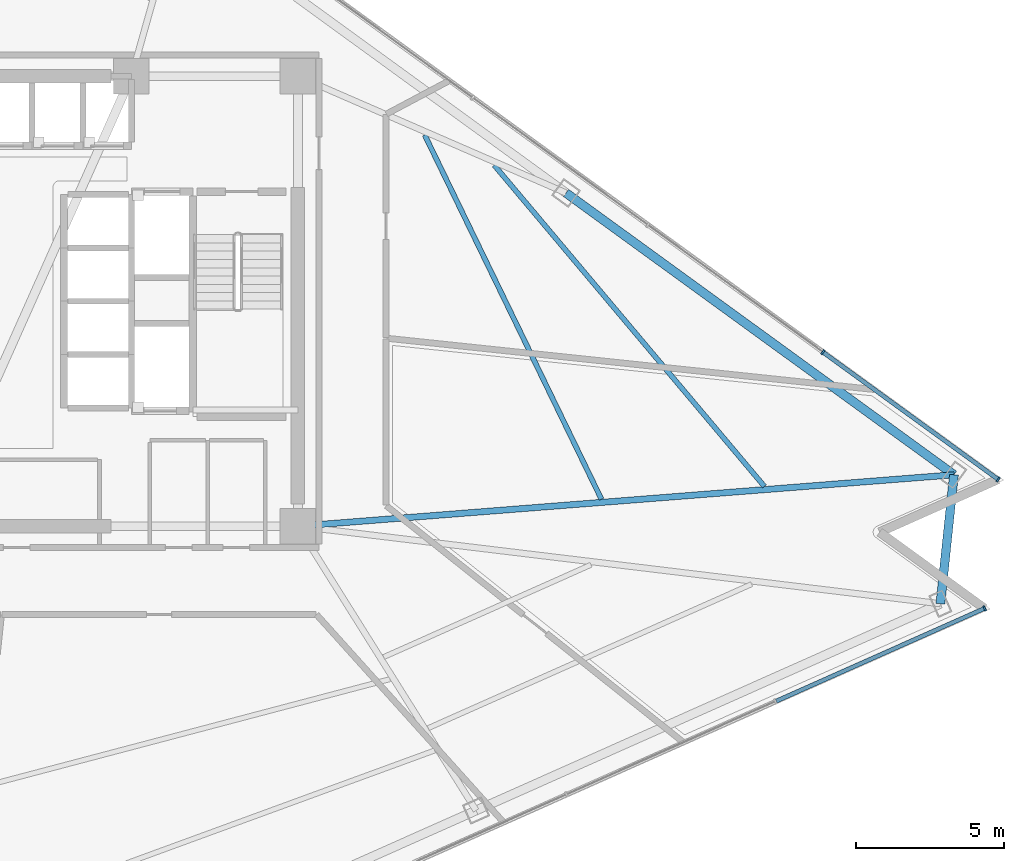
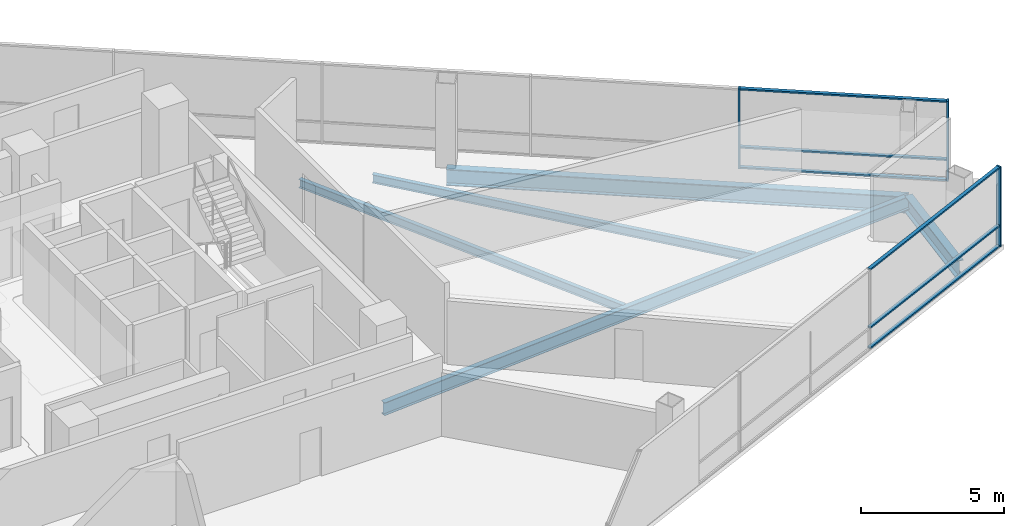
# One storey, part 6 of 19: 9 members, 5 beams, 2 elements without a shape of their own.
"""IFC4 building model written with IfcOpenShell, lengths in metres."""

from ifc_helpers import new_model, si_unit, direction, frame, origin, origin_2d, place, context, subcontext, project, spatial, rectangle, i_section, extrude, material, layer, layer_set, material_profile, profile_set, type_object, element, aggregate, save


model = new_model("IFC4")

# Units and contexts
model_context = context("Model", 3, precision=1e-05, world=origin(), true_north=direction((0.0, 1.0)))
body_context = subcontext(model_context, "Body", "Model", "MODEL_VIEW")
ifc_project = project(units=[si_unit("LENGTHUNIT", "METRE"), si_unit("AREAUNIT", "SQUARE_METRE"), si_unit("VOLUMEUNIT", "CUBIC_METRE"), si_unit("PLANEANGLEUNIT", "RADIAN"), si_unit("MASSUNIT", "GRAM", prefix="KILO")], contexts=[model_context])

# Site, building, storey
site_placement = place(None, origin())
site = spatial("IfcSite", under=ifc_project, at=site_placement, CompositionType="ELEMENT")
building_placement = place(site_placement, origin())
building = spatial("IfcBuilding", under=site, at=building_placement, Name="Tharavind Bronze Gate", CompositionType="ELEMENT")
storey_placement = place(building_placement, frame((0.0, 0.0, 116.050048828125)))
storey = spatial("IfcBuildingStorey", under=building, at=storey_placement, Name="L29", CompositionType="ELEMENT", Elevation=116.050048828125)

# Curtain wall, member
ifc_material_1 = material(Name="Anodised Bronze Aluminium", Category="aluminium")
ifc_layer = layer(ifc_material_1, 0.219970703125)
ifc_layer_set = layer_set([ifc_layer], Name="Anodised Bronze Aluminium")
curtain_wall_type = type_object("IfcCurtainWallType", Name="UNITISED CURTAIN WALL LOWER OFFICE", PredefinedType="USERDEFINED", material=ifc_layer_set)
curtain_wall_1_placement = place(storey_placement, origin())
curtain_wall_1 = element("IfcCurtainWall", 1, at=curtain_wall_1_placement, inside=storey, type_object=curtain_wall_type, Name="L29 unitised curtain wall lower office CW-L29-S2", ObjectType="UNITISED CURTAIN WALL", PredefinedType="USERDEFINED")
member_type_1 = type_object("IfcMemberType", Name="CURTAIN WALL BRONZE MULLION 65X180", PredefinedType="MULLION", material=ifc_material_1)
member_1_placement = place(storey_placement, frame((32.099853515625, -10.3759765625, 0.0), z_axis=(0.0, 0.0, 1.0), x_axis=(0.913545457643, 0.406736643076, 0.0)))
member_1 = element("IfcMember", 2, at=member_1_placement, type_object=member_type_1, Name="CW-L29-S2 mullion 8", PredefinedType="MULLION", context=body_context, shape_type="SweptSolid", body=[
    extrude(rectangle(XDim=0.06494140625, YDim=0.179931640625, at=origin_2d()), origin(), (0.0, 0.0, 1.0), 3.409912109375),
])

# Curtain wall, members
curtain_wall_2_placement = place(storey_placement, origin())
curtain_wall_2 = element("IfcCurtainWall", 3, at=curtain_wall_2_placement, inside=storey, type_object=curtain_wall_type, Name="L29 unitised curtain wall lower office CW-L29-S3", ObjectType="UNITISED CURTAIN WALL", PredefinedType="USERDEFINED")
member_2_placement = place(storey_placement, frame((32.5576171875, -6.02001953125, 0.0), z_axis=(0.0, 0.0, 1.0), x_axis=(-0.809016994375, 0.587785252292, 0.0)))
member_2 = element("IfcMember", 4, at=member_2_placement, type_object=member_type_1, Name="CW-L29-S3 mullion 1", PredefinedType="MULLION", context=body_context, shape_type="SweptSolid", body=[
    extrude(rectangle(XDim=0.06494140625, YDim=0.179931640625, at=origin_2d()), origin(), (0.0, 0.0, 1.0), 3.409912109375),
])
member_3_placement = place(storey_placement, frame((26.64111328125, -1.72119140625, 0.0), z_axis=(0.0, 0.0, 1.0), x_axis=(-0.809016994375, 0.587785252292, 0.0)))
member_3 = element("IfcMember", 5, at=member_3_placement, type_object=member_type_1, Name="CW-L29-S3 mullion 2", PredefinedType="MULLION", context=body_context, shape_type="SweptSolid", body=[
    extrude(rectangle(XDim=0.06494140625, YDim=0.179931640625, at=origin_2d()), origin(), (0.0, 0.0, 1.0), 3.409912109375),
])

# Member
member_type_2 = type_object("IfcMemberType", Name="CURTAIN WALL BRONZE TRANSOM 65X140", PredefinedType="USERDEFINED", material=ifc_material_1)
member_4_placement = place(storey_placement, frame((28.568603515625, -11.947998046875, 0.0), z_axis=(0.0, 0.0, 1.0), x_axis=(0.913545457643, 0.406736643076, 0.0)))
member_4 = element("IfcMember", 6, at=member_4_placement, type_object=member_type_2, Name="CW-L29-S2 transom TB7", ObjectType="TRANSOM", PredefinedType="USERDEFINED", context=body_context, shape_type="SweptSolid", body=[
    extrude(rectangle(XDim=7.677490234375, YDim=0.139892578125, at=origin_2d()), origin(), (0.0, 0.0, 1.0), 0.06494140625),
])

member_5_placement = place(storey_placement, frame((28.568603515625, -11.947998046875, 0.867431640625), z_axis=(0.0, 0.0, 1.0), x_axis=(0.913545457643, 0.406736643076, 0.0)))
member_5 = element("IfcMember", 7, at=member_5_placement, type_object=member_type_2, Name="CW-L29-S2 transom TS7", ObjectType="TRANSOM", PredefinedType="USERDEFINED", context=body_context, shape_type="SweptSolid", body=[
    extrude(rectangle(XDim=7.677490234375, YDim=0.139892578125, at=origin_2d()), origin(), (0.0, 0.0, 1.0), 0.06494140625),
])

member_6_placement = place(storey_placement, frame((28.568603515625, -11.947998046875, 3.344970703125), z_axis=(0.0, 0.0, 1.0), x_axis=(0.913545457643, 0.406736643076, 0.0)))
member_6 = element("IfcMember", 8, at=member_6_placement, type_object=member_type_2, Name="CW-L29-S2 transom TT7", ObjectType="TRANSOM", PredefinedType="USERDEFINED", context=body_context, shape_type="SweptSolid", body=[
    extrude(rectangle(XDim=7.677490234375, YDim=0.139892578125, at=origin_2d()), origin(), (0.0, 0.0, 1.0), 0.06494140625),
])

aggregate(curtain_wall_1, [member_1, member_4, member_5, member_6])

member_7_placement = place(storey_placement, frame((29.599365234375, -3.87060546875, 0.0), z_axis=(0.0, 0.0, 1.0), x_axis=(-0.809016994375, 0.587785252292, 0.0)))
member_7 = element("IfcMember", 9, at=member_7_placement, type_object=member_type_2, Name="CW-L29-S3 transom TB1", ObjectType="TRANSOM", PredefinedType="USERDEFINED", context=body_context, shape_type="SweptSolid", body=[
    extrude(rectangle(XDim=7.260498046875, YDim=0.139892578125, at=origin_2d()), origin(), (0.0, 0.0, 1.0), 0.06494140625),
])

member_8_placement = place(storey_placement, frame((29.599365234375, -3.87060546875, 0.867431640625), z_axis=(0.0, 0.0, 1.0), x_axis=(-0.809016994375, 0.587785252292, 0.0)))
member_8 = element("IfcMember", 10, at=member_8_placement, type_object=member_type_2, Name="CW-L29-S3 transom TS1", ObjectType="TRANSOM", PredefinedType="USERDEFINED", context=body_context, shape_type="SweptSolid", body=[
    extrude(rectangle(XDim=7.260498046875, YDim=0.139892578125, at=origin_2d()), origin(), (0.0, 0.0, 1.0), 0.06494140625),
])

member_9_placement = place(storey_placement, frame((29.599365234375, -3.87060546875, 3.344970703125), z_axis=(0.0, 0.0, 1.0), x_axis=(-0.809016994375, 0.587785252292, 0.0)))
member_9 = element("IfcMember", 11, at=member_9_placement, type_object=member_type_2, Name="CW-L29-S3 transom TT1", ObjectType="TRANSOM", PredefinedType="USERDEFINED", context=body_context, shape_type="SweptSolid", body=[
    extrude(rectangle(XDim=7.260498046875, YDim=0.139892578125, at=origin_2d()), origin(), (0.0, 0.0, 1.0), 0.06494140625),
])

aggregate(curtain_wall_2, [member_2, member_3, member_7, member_8, member_9])

# Beams
ifc_material_2 = material(Name="Steel S355", Category="steel")
ifc_material_profile_1 = material_profile(ifc_material_2, i_section(OverallWidth=0.2099609375, OverallDepth=0.550048828125, WebThickness=0.010986328125, FlangeThickness=0.01708984375, at=origin_2d()), Name="IPE550")
ifc_profile_set_1 = profile_set([ifc_material_profile_1], Name="Steel S355")
beam_type_1 = type_object("IfcBeamType", Name="PRIMARY GIRDER IPE550", PredefinedType="USERDEFINED", material=ifc_profile_set_1)
beam_1_placement = place(storey_placement, frame((31.06591796875, -5.863037109375, -0.465087890625), z_axis=(-0.996943461066, -0.078126406792, 0.0), x_axis=(0.078126406792, -0.996943461066, 0.0)))
element("IfcBeam", 12, at=beam_1_placement, inside=storey, type_object=beam_type_1, Name="L29 primary girder ipe550 BM-L29-RAD09", ObjectType="GIRDER", PredefinedType="USERDEFINED", context=body_context, shape_type="SweptSolid", body=[
    extrude(i_section(OverallWidth=0.2099609375, OverallDepth=0.550048828125, WebThickness=0.010986328125, FlangeThickness=0.01708984375, at=origin_2d()), origin(), (0.0, 0.0, 1.0), 22.23388671875),
])
ifc_material_profile_2 = material_profile(ifc_material_2, i_section(OverallWidth=0.300048828125, OverallDepth=0.699951171875, WebThickness=0.01708984375, FlangeThickness=0.031982421875, at=origin_2d()), Name="HE700B")
ifc_profile_set_2 = profile_set([ifc_material_profile_2], Name="Steel S355")
beam_type_2 = type_object("IfcBeamType", Name="RING GIRDER HE700B", PredefinedType="USERDEFINED", material=ifc_profile_set_2)
beam_2_placement = place(storey_placement, frame((30.60791015625, -10.218994140625, -0.5400390625), z_axis=(0.1045687219, 0.994517663192, 0.0), x_axis=(-0.994517663192, 0.1045687219, 0.0)))
element("IfcBeam", 13, at=beam_2_placement, inside=storey, type_object=beam_type_2, Name="L29 ring girder he700b BM-L29-PRG08", ObjectType="GIRDER", PredefinedType="USERDEFINED", context=body_context, shape_type="SweptSolid", body=[
    extrude(i_section(OverallWidth=0.300048828125, OverallDepth=0.699951171875, WebThickness=0.01708984375, FlangeThickness=0.031982421875, at=origin_2d()), origin(), (0.0, 0.0, 1.0), 4.3798828125),
])
beam_3_placement = place(storey_placement, frame((31.06591796875, -5.863037109375, -0.5400390625), z_axis=(-0.809014294341, 0.587788968553, 0.0), x_axis=(-0.587788968553, -0.809014294341, 0.0)))
element("IfcBeam", 14, at=beam_3_placement, inside=storey, type_object=beam_type_2, Name="L29 ring girder he700b BM-L29-PRG09", ObjectType="GIRDER", PredefinedType="USERDEFINED", context=body_context, shape_type="SweptSolid", body=[
    extrude(i_section(OverallWidth=0.300048828125, OverallDepth=0.699951171875, WebThickness=0.01708984375, FlangeThickness=0.031982421875, at=origin_2d()), origin(), (0.0, 0.0, 1.0), 16.198486328125),
])
ifc_material_profile_3 = material_profile(ifc_material_2, i_section(OverallWidth=0.169921875, OverallDepth=0.360107421875, WebThickness=0.008056640625, FlangeThickness=0.0126953125, at=origin_2d()), Name="IPE360")
ifc_profile_set_3 = profile_set([ifc_material_profile_3], Name="Steel S355")
beam_type_3 = type_object("IfcBeamType", Name="SECONDARY FLOOR JOIST IPE360", PredefinedType="JOIST", material=ifc_profile_set_3)
beam_4_placement = place(storey_placement, frame((19.15625, -6.687255859375, -0.3701171875), z_axis=(-0.436529248779, 0.899690066056, 0.0), x_axis=(-0.899690066056, -0.436529248779, 0.0)))
element("IfcBeam", 15, at=beam_4_placement, inside=storey, type_object=beam_type_3, Name="L29 secondary floor joist ipe360 BM-L29-JSTA09", PredefinedType="JOIST", context=body_context, shape_type="SweptSolid", body=[
    extrude(i_section(OverallWidth=0.169921875, OverallDepth=0.360107421875, WebThickness=0.008056640625, FlangeThickness=0.0126953125, at=origin_2d()), origin(), (0.0, 0.0, 1.0), 13.677734375),
])
beam_5_placement = place(storey_placement, frame((24.662841796875, -6.256103515625, -0.3701171875), z_axis=(-0.643699388619, 0.765278444157, 0.0), x_axis=(-0.765278444157, -0.643699388619, 0.0)))
element("IfcBeam", 16, at=beam_5_placement, inside=storey, type_object=beam_type_3, Name="L29 secondary floor joist ipe360 BM-L29-JSTB09", PredefinedType="JOIST", context=body_context, shape_type="SweptSolid", body=[
    extrude(i_section(OverallWidth=0.169921875, OverallDepth=0.360107421875, WebThickness=0.008056640625, FlangeThickness=0.0126953125, at=origin_2d()), origin(), (0.0, 0.0, 1.0), 14.18310546875),
])

save(model, "model.ifc")
